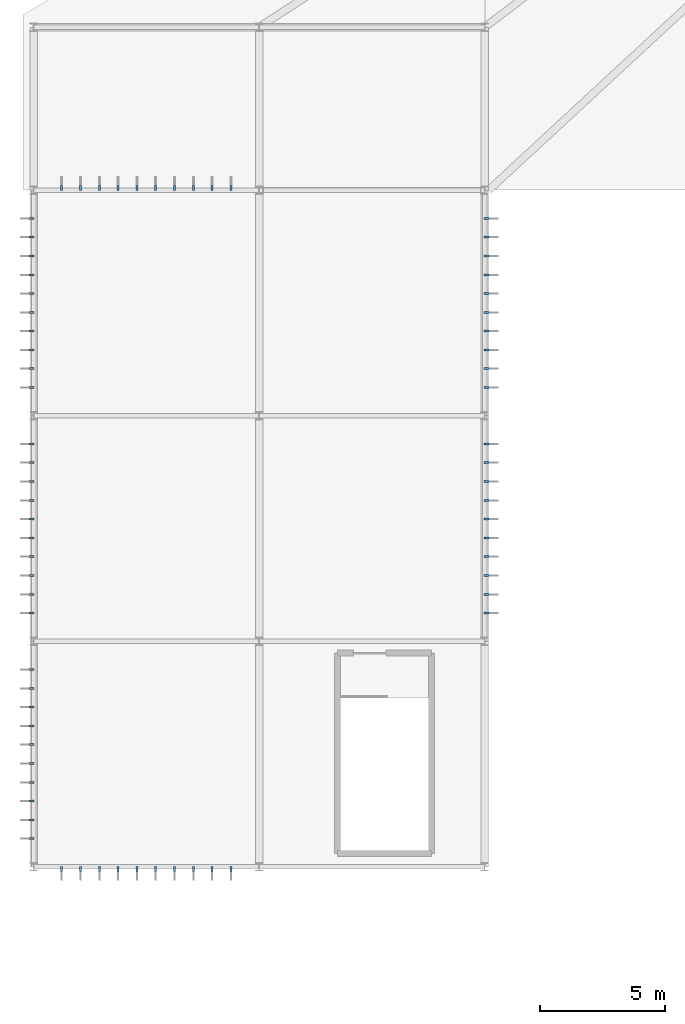
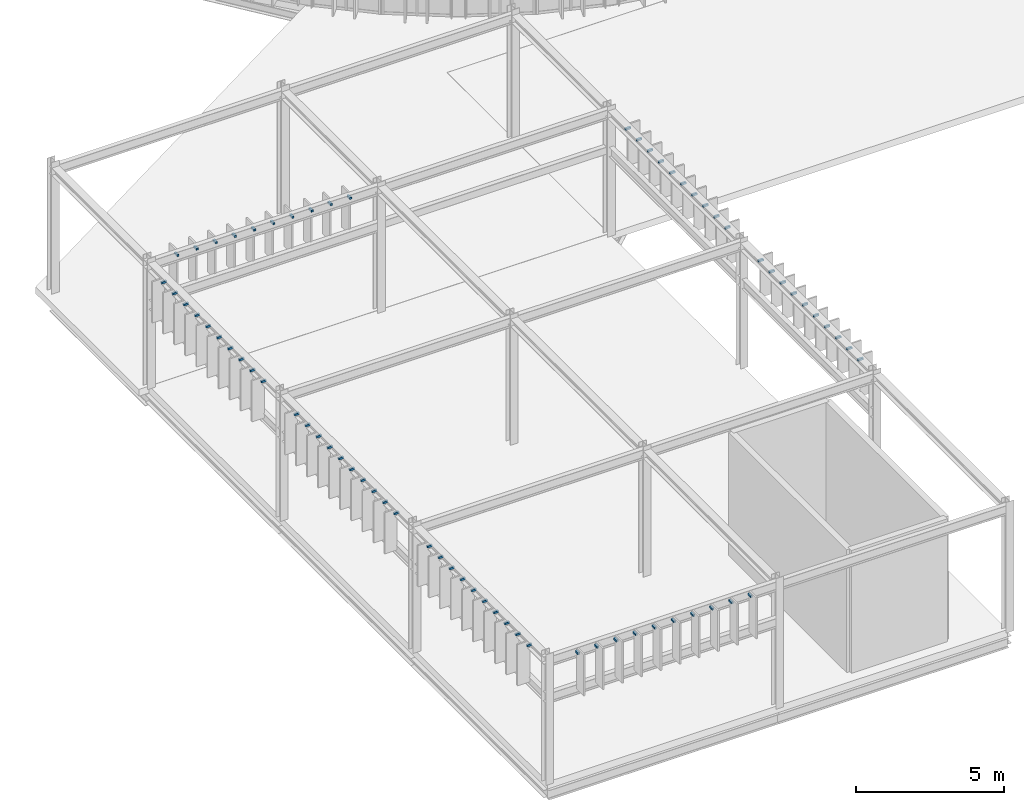
# One storey, part 133 of 158: 70 discrete accessories.
"""IFC4 building model written with IfcOpenShell, lengths in metres."""

from ifc_helpers import new_model, si_unit, derived_unit, direction, frame, origin, origin_2d, place, context, subcontext, project, spatial, rectangle, extrude, material, type_object, element, save


model = new_model("IFC4")

# Units and contexts
model_context = context("Model", 3, precision=1e-05, world=origin(), true_north=direction((0.0, 1.0)))
body_context = subcontext(model_context, "Body", "Model", "MODEL_VIEW")
ifc_project = project(units=[si_unit("LENGTHUNIT", "METRE"), si_unit("AREAUNIT", "SQUARE_METRE"), si_unit("VOLUMEUNIT", "CUBIC_METRE"), si_unit("PLANEANGLEUNIT", "RADIAN"), si_unit("MASSUNIT", "GRAM", prefix="KILO"), si_unit("THERMODYNAMICTEMPERATUREUNIT", "KELVIN"), si_unit("TIMEUNIT", "SECOND"), derived_unit("THERMALTRANSMITTANCEUNIT", [(si_unit("MASSUNIT", "GRAM", prefix="KILO"), 1), (si_unit("THERMODYNAMICTEMPERATUREUNIT", "KELVIN"), -1), (si_unit("TIMEUNIT", "SECOND"), -3)])], contexts=[model_context])

# Site, building, storey
site_placement = place(None, origin())
site = spatial("IfcSite", under=ifc_project, at=site_placement, CompositionType="ELEMENT")
building_placement = place(site_placement, origin())
building = spatial("IfcBuilding", under=site, at=building_placement, Name="Cambertide Market Hall", CompositionType="ELEMENT")
storey_placement = place(building_placement, origin())
storey = spatial("IfcBuildingStorey", under=building, at=storey_placement, Name="L01", CompositionType="ELEMENT", Elevation=0.0)

# Discrete accessories
ifc_material = material(Name="Stainless Steel Grade 316", Category="metal")
discrete_accessory_type = type_object("IfcDiscreteAccessoryType", Name="Stainless Fin Outrigger Tie Bracket", PredefinedType="BRACKET", material=ifc_material)
for number, where, z_axis, x_axis, name in (
    (1, (11.919921875, 21.875, 4.97998046875), (0.0, 0.0, 1.0), (0.0, 1.0, 0.0), "Level 1 Southwest Loggia Fin Bracket V2SW-W1-1"),
    (2, (11.919921875, 21.125, 4.97998046875), (0.0, 0.0, 1.0), (0.0, 1.0, 0.0), "Level 1 Southwest Loggia Fin Bracket V2SW-W1-2"),
    (3, (11.919921875, 20.375, 4.97998046875), (0.0, 0.0, 1.0), (0.0, 1.0, 0.0), "Level 1 Southwest Loggia Fin Bracket V2SW-W1-3"),
    (4, (11.919921875, 19.625, 4.97998046875), (0.0, 0.0, 1.0), (0.0, 1.0, 0.0), "Level 1 Southwest Loggia Fin Bracket V2SW-W1-4"),
    (5, (11.919921875, 18.875, 4.97998046875), (0.0, 0.0, 1.0), (0.0, 1.0, 0.0), "Level 1 Southwest Loggia Fin Bracket V2SW-W1-5"),
    (6, (11.919921875, 18.125, 4.97998046875), (0.0, 0.0, 1.0), (0.0, 1.0, 0.0), "Level 1 Southwest Loggia Fin Bracket V2SW-W1-6"),
    (7, (11.919921875, 17.375, 4.97998046875), (0.0, 0.0, 1.0), (0.0, 1.0, 0.0), "Level 1 Southwest Loggia Fin Bracket V2SW-W1-7"),
    (8, (11.919921875, 16.625, 4.97998046875), (0.0, 0.0, 1.0), (0.0, 1.0, 0.0), "Level 1 Southwest Loggia Fin Bracket V2SW-W1-8"),
    (9, (11.919921875, 15.875, 4.97998046875), (0.0, 0.0, 1.0), (0.0, 1.0, 0.0), "Level 1 Southwest Loggia Fin Bracket V2SW-W1-9"),
    (10, (11.919921875, 15.125, 4.97998046875), (0.0, 0.0, 1.0), (0.0, 1.0, 0.0), "Level 1 Southwest Loggia Fin Bracket V2SW-W1-10"),
    (11, (11.919921875, 30.875, 4.97998046875), (0.0, 0.0, 1.0), (0.0, 1.0, 0.0), "Level 1 Southwest Loggia Fin Bracket V2SW-W2-1"),
    (12, (11.919921875, 30.125, 4.97998046875), (0.0, 0.0, 1.0), (0.0, 1.0, 0.0), "Level 1 Southwest Loggia Fin Bracket V2SW-W2-2"),
    (13, (11.919921875, 29.375, 4.97998046875), (0.0, 0.0, 1.0), (0.0, 1.0, 0.0), "Level 1 Southwest Loggia Fin Bracket V2SW-W2-3"),
    (14, (11.919921875, 28.625, 4.97998046875), (0.0, 0.0, 1.0), (0.0, 1.0, 0.0), "Level 1 Southwest Loggia Fin Bracket V2SW-W2-4"),
    (15, (11.919921875, 27.875, 4.97998046875), (0.0, 0.0, 1.0), (0.0, 1.0, 0.0), "Level 1 Southwest Loggia Fin Bracket V2SW-W2-5"),
    (16, (11.919921875, 27.125, 4.97998046875), (0.0, 0.0, 1.0), (0.0, 1.0, 0.0), "Level 1 Southwest Loggia Fin Bracket V2SW-W2-6"),
    (17, (11.919921875, 26.375, 4.97998046875), (0.0, 0.0, 1.0), (0.0, 1.0, 0.0), "Level 1 Southwest Loggia Fin Bracket V2SW-W2-7"),
    (18, (11.919921875, 25.625, 4.97998046875), (0.0, 0.0, 1.0), (0.0, 1.0, 0.0), "Level 1 Southwest Loggia Fin Bracket V2SW-W2-8"),
    (19, (11.919921875, 24.875, 4.97998046875), (0.0, 0.0, 1.0), (0.0, 1.0, 0.0), "Level 1 Southwest Loggia Fin Bracket V2SW-W2-9"),
    (20, (11.919921875, 24.125, 4.97998046875), (0.0, 0.0, 1.0), (0.0, 1.0, 0.0), "Level 1 Southwest Loggia Fin Bracket V2SW-W2-10"),
    (21, (11.919921875, 39.875, 4.97998046875), (0.0, 0.0, 1.0), (0.0, 1.0, 0.0), "Level 1 Southwest Loggia Fin Bracket V2SW-W3-1"),
    (22, (11.919921875, 39.125, 4.97998046875), (0.0, 0.0, 1.0), (0.0, 1.0, 0.0), "Level 1 Southwest Loggia Fin Bracket V2SW-W3-2"),
    (23, (11.919921875, 38.375, 4.97998046875), (0.0, 0.0, 1.0), (0.0, 1.0, 0.0), "Level 1 Southwest Loggia Fin Bracket V2SW-W3-3"),
    (24, (11.919921875, 37.625, 4.97998046875), (0.0, 0.0, 1.0), (0.0, 1.0, 0.0), "Level 1 Southwest Loggia Fin Bracket V2SW-W3-4"),
    (25, (11.919921875, 36.875, 4.97998046875), (0.0, 0.0, 1.0), (0.0, 1.0, 0.0), "Level 1 Southwest Loggia Fin Bracket V2SW-W3-5"),
    (26, (11.919921875, 36.125, 4.97998046875), (0.0, 0.0, 1.0), (0.0, 1.0, 0.0), "Level 1 Southwest Loggia Fin Bracket V2SW-W3-6"),
    (27, (11.919921875, 35.375, 4.97998046875), (0.0, 0.0, 1.0), (0.0, 1.0, 0.0), "Level 1 Southwest Loggia Fin Bracket V2SW-W3-7"),
    (28, (11.919921875, 34.625, 4.97998046875), (0.0, 0.0, 1.0), (0.0, 1.0, 0.0), "Level 1 Southwest Loggia Fin Bracket V2SW-W3-8"),
    (29, (11.919921875, 33.875, 4.97998046875), (0.0, 0.0, 1.0), (0.0, 1.0, 0.0), "Level 1 Southwest Loggia Fin Bracket V2SW-W3-9"),
    (30, (11.919921875, 33.125, 4.97998046875), (0.0, 0.0, 1.0), (0.0, 1.0, 0.0), "Level 1 Southwest Loggia Fin Bracket V2SW-W3-10"),
    (31, (13.125, 13.919921875, 4.97998046875), (0.0, 0.0, 1.0), (1.0, 0.0, 0.0), "Level 1 Southwest Loggia Fin Bracket V2SW-S1-1"),
    (32, (13.875, 13.919921875, 4.97998046875), (0.0, 0.0, 1.0), (1.0, 0.0, 0.0), "Level 1 Southwest Loggia Fin Bracket V2SW-S1-2"),
    (33, (14.625, 13.919921875, 4.97998046875), (0.0, 0.0, 1.0), (1.0, 0.0, 0.0), "Level 1 Southwest Loggia Fin Bracket V2SW-S1-3"),
    (34, (15.375, 13.919921875, 4.97998046875), (0.0, 0.0, 1.0), (1.0, 0.0, 0.0), "Level 1 Southwest Loggia Fin Bracket V2SW-S1-4"),
    (35, (16.125, 13.919921875, 4.97998046875), (0.0, 0.0, 1.0), (1.0, 0.0, 0.0), "Level 1 Southwest Loggia Fin Bracket V2SW-S1-5"),
    (36, (16.875, 13.919921875, 4.97998046875), (0.0, 0.0, 1.0), (1.0, 0.0, 0.0), "Level 1 Southwest Loggia Fin Bracket V2SW-S1-6"),
    (37, (17.625, 13.919921875, 4.97998046875), (0.0, 0.0, 1.0), (1.0, 0.0, 0.0), "Level 1 Southwest Loggia Fin Bracket V2SW-S1-7"),
    (38, (18.375, 13.919921875, 4.97998046875), (0.0, 0.0, 1.0), (1.0, 0.0, 0.0), "Level 1 Southwest Loggia Fin Bracket V2SW-S1-8"),
    (39, (19.125, 13.919921875, 4.97998046875), (0.0, 0.0, 1.0), (1.0, 0.0, 0.0), "Level 1 Southwest Loggia Fin Bracket V2SW-S1-9"),
    (40, (19.875, 13.919921875, 4.97998046875), (0.0, 0.0, 1.0), (1.0, 0.0, 0.0), "Level 1 Southwest Loggia Fin Bracket V2SW-S1-10"),
    (41, (19.875, 41.080078125, 4.97998046875), (0.0, 0.0, 1.0), (-1.0, 0.0, 0.0), "Level 1 Southwest Loggia Fin Bracket V2SW-N1-1"),
    (42, (19.125, 41.080078125, 4.97998046875), (0.0, 0.0, 1.0), (-1.0, 0.0, 0.0), "Level 1 Southwest Loggia Fin Bracket V2SW-N1-2"),
    (43, (18.375, 41.080078125, 4.97998046875), (0.0, 0.0, 1.0), (-1.0, 0.0, 0.0), "Level 1 Southwest Loggia Fin Bracket V2SW-N1-3"),
    (44, (17.625, 41.080078125, 4.97998046875), (0.0, 0.0, 1.0), (-1.0, 0.0, 0.0), "Level 1 Southwest Loggia Fin Bracket V2SW-N1-4"),
    (45, (16.875, 41.080078125, 4.97998046875), (0.0, 0.0, 1.0), (-1.0, 0.0, 0.0), "Level 1 Southwest Loggia Fin Bracket V2SW-N1-5"),
    (46, (16.125, 41.080078125, 4.97998046875), (0.0, 0.0, 1.0), (-1.0, 0.0, 0.0), "Level 1 Southwest Loggia Fin Bracket V2SW-N1-6"),
    (47, (15.375, 41.080078125, 4.97998046875), (0.0, 0.0, 1.0), (-1.0, 0.0, 0.0), "Level 1 Southwest Loggia Fin Bracket V2SW-N1-7"),
    (48, (14.625, 41.080078125, 4.97998046875), (0.0, 0.0, 1.0), (-1.0, 0.0, 0.0), "Level 1 Southwest Loggia Fin Bracket V2SW-N1-8"),
    (49, (13.875, 41.080078125, 4.97998046875), (0.0, 0.0, 1.0), (-1.0, 0.0, 0.0), "Level 1 Southwest Loggia Fin Bracket V2SW-N1-9"),
    (50, (13.125, 41.080078125, 4.97998046875), (0.0, 0.0, 1.0), (-1.0, 0.0, 0.0), "Level 1 Southwest Loggia Fin Bracket V2SW-N1-10"),
    (51, (30.080078125, 24.125, 4.97998046875), (0.0, 0.0, 1.0), (0.0, -1.0, 0.0), "Level 1 Southwest Loggia Fin Bracket V2SW-E2-1"),
    (52, (30.080078125, 24.875, 4.97998046875), (0.0, 0.0, 1.0), (0.0, -1.0, 0.0), "Level 1 Southwest Loggia Fin Bracket V2SW-E2-2"),
    (53, (30.080078125, 25.625, 4.97998046875), (0.0, 0.0, 1.0), (0.0, -1.0, 0.0), "Level 1 Southwest Loggia Fin Bracket V2SW-E2-3"),
    (54, (30.080078125, 26.375, 4.97998046875), (0.0, 0.0, 1.0), (0.0, -1.0, 0.0), "Level 1 Southwest Loggia Fin Bracket V2SW-E2-4"),
    (55, (30.080078125, 27.125, 4.97998046875), (0.0, 0.0, 1.0), (0.0, -1.0, 0.0), "Level 1 Southwest Loggia Fin Bracket V2SW-E2-5"),
    (56, (30.080078125, 27.875, 4.97998046875), (0.0, 0.0, 1.0), (0.0, -1.0, 0.0), "Level 1 Southwest Loggia Fin Bracket V2SW-E2-6"),
    (57, (30.080078125, 28.625, 4.97998046875), (0.0, 0.0, 1.0), (0.0, -1.0, 0.0), "Level 1 Southwest Loggia Fin Bracket V2SW-E2-7"),
    (58, (30.080078125, 29.375, 4.97998046875), (0.0, 0.0, 1.0), (0.0, -1.0, 0.0), "Level 1 Southwest Loggia Fin Bracket V2SW-E2-8"),
    (59, (30.080078125, 30.125, 4.97998046875), (0.0, 0.0, 1.0), (0.0, -1.0, 0.0), "Level 1 Southwest Loggia Fin Bracket V2SW-E2-9"),
    (60, (30.080078125, 30.875, 4.97998046875), (0.0, 0.0, 1.0), (0.0, -1.0, 0.0), "Level 1 Southwest Loggia Fin Bracket V2SW-E2-10"),
    (61, (30.080078125, 33.125, 4.97998046875), (0.0, 0.0, 1.0), (0.0, -1.0, 0.0), "Level 1 Southwest Loggia Fin Bracket V2SW-E3-1"),
    (62, (30.080078125, 33.875, 4.97998046875), (0.0, 0.0, 1.0), (0.0, -1.0, 0.0), "Level 1 Southwest Loggia Fin Bracket V2SW-E3-2"),
    (63, (30.080078125, 34.625, 4.97998046875), (0.0, 0.0, 1.0), (0.0, -1.0, 0.0), "Level 1 Southwest Loggia Fin Bracket V2SW-E3-3"),
    (64, (30.080078125, 35.375, 4.97998046875), (0.0, 0.0, 1.0), (0.0, -1.0, 0.0), "Level 1 Southwest Loggia Fin Bracket V2SW-E3-4"),
    (65, (30.080078125, 36.125, 4.97998046875), (0.0, 0.0, 1.0), (0.0, -1.0, 0.0), "Level 1 Southwest Loggia Fin Bracket V2SW-E3-5"),
    (66, (30.080078125, 36.875, 4.97998046875), (0.0, 0.0, 1.0), (0.0, -1.0, 0.0), "Level 1 Southwest Loggia Fin Bracket V2SW-E3-6"),
    (67, (30.080078125, 37.625, 4.97998046875), (0.0, 0.0, 1.0), (0.0, -1.0, 0.0), "Level 1 Southwest Loggia Fin Bracket V2SW-E3-7"),
    (68, (30.080078125, 38.375, 4.97998046875), (0.0, 0.0, 1.0), (0.0, -1.0, 0.0), "Level 1 Southwest Loggia Fin Bracket V2SW-E3-8"),
    (69, (30.080078125, 39.125, 4.97998046875), (0.0, 0.0, 1.0), (0.0, -1.0, 0.0), "Level 1 Southwest Loggia Fin Bracket V2SW-E3-9"),
    (70, (30.080078125, 39.875, 4.97998046875), (0.0, 0.0, 1.0), (0.0, -1.0, 0.0), "Level 1 Southwest Loggia Fin Bracket V2SW-E3-10"),
):
    element("IfcDiscreteAccessory", number, at=place(storey_placement, frame(where, z_axis=z_axis, x_axis=x_axis)), inside=storey, type_object=discrete_accessory_type, Name=name, PredefinedType="BRACKET", context=body_context, shape_type="SweptSolid", body=[
        extrude(rectangle(XDim=0.080078125, YDim=0.199951171875, at=origin_2d()), origin(), (0.0, 0.0, 1.0), 0.080078125),
    ])

save(model, "model.ifc")
